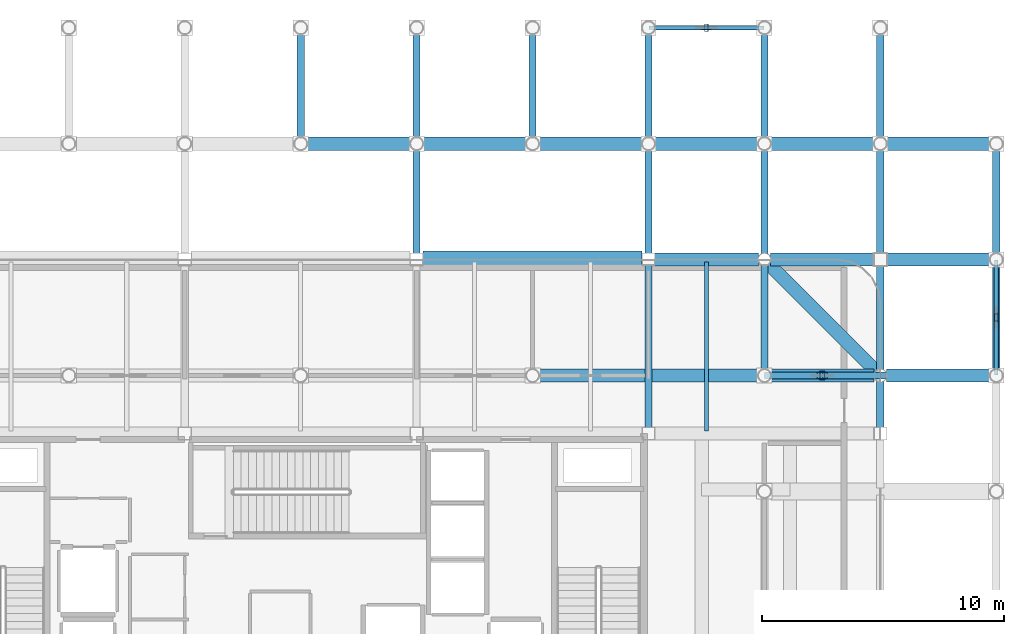
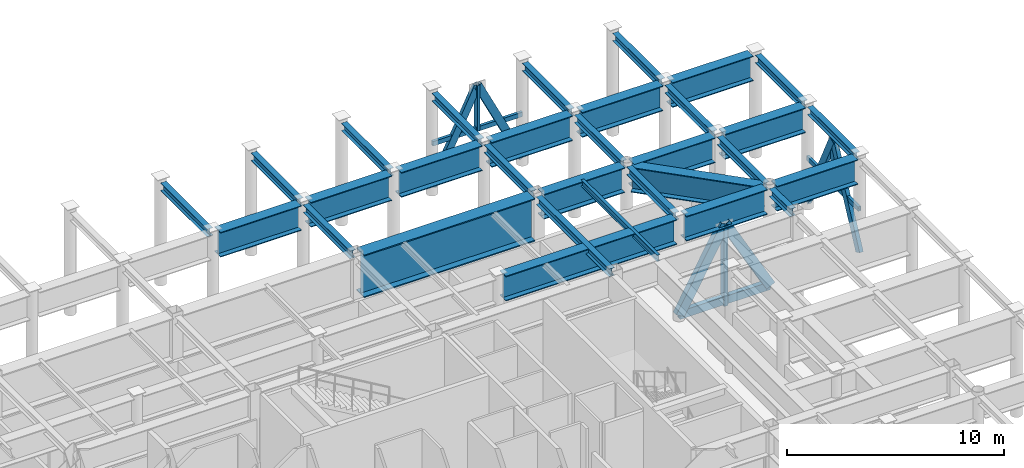
# One storey, part 10 of 20: 31 beams, 12 members.
"""IFC4 building model written with IfcOpenShell, lengths in metres."""

from ifc_helpers import new_model, si_unit, direction, frame, origin, origin_2d, place, context, subcontext, project, spatial, hollow_rectangle, i_section, extrude, material, material_profile, profile_set, type_object, element, save


model = new_model("IFC4")

# Units and contexts
model_context = context("Model", 3, precision=1e-05, world=origin(), true_north=direction((0.0, 1.0)))
body_context = subcontext(model_context, "Body", "Model", "MODEL_VIEW")
ifc_project = project(units=[si_unit("LENGTHUNIT", "METRE"), si_unit("AREAUNIT", "SQUARE_METRE"), si_unit("VOLUMEUNIT", "CUBIC_METRE"), si_unit("PLANEANGLEUNIT", "RADIAN"), si_unit("MASSUNIT", "GRAM", prefix="KILO")], contexts=[model_context])

# Site, building, storey
site_placement = place(None, origin())
site = spatial("IfcSite", under=ifc_project, at=site_placement, CompositionType="ELEMENT")
building_placement = place(site_placement, origin())
building = spatial("IfcBuilding", under=site, at=building_placement, Name="Kallvorn Hotel Tower", CompositionType="ELEMENT")
storey_placement = place(building_placement, frame((0.0, 0.0, 276.199951171875)))
storey = spatial("IfcBuildingStorey", under=building, at=storey_placement, Name="L69", CompositionType="ELEMENT", Elevation=276.199951171875)

# Beams
ifc_material_1 = material(Name="Structural steel S355JR", Category="steel")
ifc_material_profile_1 = material_profile(ifc_material_1, i_section(OverallWidth=0.300048828125, OverallDepth=0.43994140625, WebThickness=0.011474609375, FlangeThickness=0.02099609375, at=origin_2d()), Name="HE 450 A")
ifc_profile_set_1 = profile_set([ifc_material_profile_1], Name="Structural steel S355JR")
beam_type_1 = type_object("IfcBeamType", Name="BM_HE450A", PredefinedType="BEAM", material=ifc_profile_set_1)
beam_1_placement = place(storey_placement, frame((0.0, 19.45458984375, 5.580078125), z_axis=(0.0, 1.0, 0.0), x_axis=(-1.0, 0.0, 0.0)))
element("IfcBeam", 1, at=beam_1_placement, inside=storey, type_object=beam_type_1, Name="L70 Primary Y-Girder 129", PredefinedType="BEAM", context=body_context, shape_type="SweptSolid", body=[
    extrude(i_section(OverallWidth=0.300048828125, OverallDepth=0.43994140625, WebThickness=0.011474609375, FlangeThickness=0.02099609375, at=origin_2d()), origin(), (0.0, 0.0, 1.0), 4.291015625),
])
beam_2_placement = place(storey_placement, frame((4.800048828125, 14.64990234375, 5.580078125), z_axis=(0.0, 1.0, 0.0), x_axis=(-1.0, 0.0, 0.0)))
element("IfcBeam", 2, at=beam_2_placement, inside=storey, type_object=beam_type_1, Name="L70 Primary Y-Girder 133", PredefinedType="BEAM", context=body_context, shape_type="SweptSolid", body=[
    extrude(i_section(OverallWidth=0.300048828125, OverallDepth=0.43994140625, WebThickness=0.011474609375, FlangeThickness=0.02099609375, at=origin_2d()), origin(), (0.0, 0.0, 1.0), 4.295654296875),
])
for number, where, z_axis, x_axis, name in (
    (3, (4.800048828125, 19.45458984375, 5.580078125), (0.0, 1.0, 0.0), (-1.0, 0.0, 0.0), "L70 Primary Y-Girder 134"),
    (4, (9.60009765625, 19.45458984375, 5.580078125), (0.0, 1.0, 0.0), (-1.0, 0.0, 0.0), "L70 Primary Y-Girder 137"),
):
    element("IfcBeam", number, at=place(storey_placement, frame(where, z_axis=z_axis, x_axis=x_axis)), inside=storey, type_object=beam_type_1, Name=name, PredefinedType="BEAM", context=body_context, shape_type="SweptSolid", body=[
        extrude(i_section(OverallWidth=0.300048828125, OverallDepth=0.43994140625, WebThickness=0.011474609375, FlangeThickness=0.02099609375, at=origin_2d()), origin(), (0.0, 0.0, 1.0), 4.291015625),
    ])
beam_3_placement = place(storey_placement, frame((14.39990234375, 7.449951171875, 5.580078125), z_axis=(0.0, 1.0, 0.0), x_axis=(-1.0, 0.0, 0.0)))
element("IfcBeam", 5, at=beam_3_placement, inside=storey, type_object=beam_type_1, Name="L70 Primary Y-Girder 140", PredefinedType="BEAM", context=body_context, shape_type="SweptSolid", body=[
    extrude(i_section(OverallWidth=0.300048828125, OverallDepth=0.43994140625, WebThickness=0.011474609375, FlangeThickness=0.02099609375, at=origin_2d()), origin(), (0.0, 0.0, 1.0), 6.699951171875),
])
beam_4_placement = place(storey_placement, frame((14.39990234375, 14.64990234375, 5.580078125), z_axis=(0.0, 1.0, 0.0), x_axis=(-1.0, 0.0, 0.0)))
element("IfcBeam", 6, at=beam_4_placement, inside=storey, type_object=beam_type_1, Name="L70 Primary Y-Girder 141", PredefinedType="BEAM", context=body_context, shape_type="SweptSolid", body=[
    extrude(i_section(OverallWidth=0.300048828125, OverallDepth=0.43994140625, WebThickness=0.011474609375, FlangeThickness=0.02099609375, at=origin_2d()), origin(), (0.0, 0.0, 1.0), 4.295654296875),
])
for number, where, z_axis, x_axis, name in (
    (7, (14.39990234375, 19.45458984375, 5.580078125), (0.0, 1.0, 0.0), (-1.0, 0.0, 0.0), "L70 Primary Y-Girder 142"),
    (8, (19.199951171875, 9.8544921875, 5.580078125), (0.0, 1.0, 0.0), (-1.0, 0.0, 0.0), "L70 Primary Y-Girder 149"),
    (9, (19.199951171875, 14.654541015625, 5.580078125), (0.0, 1.0, 0.0), (-1.0, 0.0, 0.0), "L70 Primary Y-Girder 150"),
    (10, (19.199951171875, 19.45458984375, 5.580078125), (0.0, 1.0, 0.0), (-1.0, 0.0, 0.0), "L70 Primary Y-Girder 151"),
):
    element("IfcBeam", number, at=place(storey_placement, frame(where, z_axis=z_axis, x_axis=x_axis)), inside=storey, type_object=beam_type_1, Name=name, PredefinedType="BEAM", context=body_context, shape_type="SweptSolid", body=[
        extrude(i_section(OverallWidth=0.300048828125, OverallDepth=0.43994140625, WebThickness=0.011474609375, FlangeThickness=0.02099609375, at=origin_2d()), origin(), (0.0, 0.0, 1.0), 4.291015625),
    ])
beam_5_placement = place(storey_placement, frame((24.0, 7.449951171875, 5.580078125), z_axis=(0.0, 1.0, 0.0), x_axis=(-1.0, 0.0, 0.0)))
element("IfcBeam", 11, at=beam_5_placement, inside=storey, type_object=beam_type_1, Name="L70 Primary Y-Girder 155", PredefinedType="BEAM", context=body_context, shape_type="SweptSolid", body=[
    extrude(i_section(OverallWidth=0.300048828125, OverallDepth=0.43994140625, WebThickness=0.011474609375, FlangeThickness=0.02099609375, at=origin_2d()), origin(), (0.0, 0.0, 1.0), 1.8955078125),
])
beam_6_placement = place(storey_placement, frame((24.0, 9.8544921875, 5.580078125), z_axis=(0.0, 1.0, 0.0), x_axis=(-1.0, 0.0, 0.0)))
element("IfcBeam", 12, at=beam_6_placement, inside=storey, type_object=beam_type_1, Name="L70 Primary Y-Girder 156", PredefinedType="BEAM", context=body_context, shape_type="SweptSolid", body=[
    extrude(i_section(OverallWidth=0.300048828125, OverallDepth=0.43994140625, WebThickness=0.011474609375, FlangeThickness=0.02099609375, at=origin_2d()), origin(), (0.0, 0.0, 1.0), 4.29541015625),
])
beam_7_placement = place(storey_placement, frame((24.0, 14.64990234375, 5.580078125), z_axis=(0.0, 1.0, 0.0), x_axis=(-1.0, 0.0, 0.0)))
element("IfcBeam", 13, at=beam_7_placement, inside=storey, type_object=beam_type_1, Name="L70 Primary Y-Girder 157", PredefinedType="BEAM", context=body_context, shape_type="SweptSolid", body=[
    extrude(i_section(OverallWidth=0.300048828125, OverallDepth=0.43994140625, WebThickness=0.011474609375, FlangeThickness=0.02099609375, at=origin_2d()), origin(), (0.0, 0.0, 1.0), 4.295654296875),
])
for number, where, z_axis, x_axis, name in (
    (14, (24.0, 19.45458984375, 5.580078125), (0.0, 1.0, 0.0), (-1.0, 0.0, 0.0), "L70 Primary Y-Girder 158"),
    (15, (28.800048828125, 9.8544921875, 5.580078125), (0.0, 1.0, 0.0), (-1.0, 0.0, 0.0), "L70 Primary Y-Girder 165"),
    (16, (28.800048828125, 14.654541015625, 5.580078125), (0.0, 1.0, 0.0), (-1.0, 0.0, 0.0), "L70 Primary Y-Girder 166"),
):
    element("IfcBeam", number, at=place(storey_placement, frame(where, z_axis=z_axis, x_axis=x_axis)), inside=storey, type_object=beam_type_1, Name=name, PredefinedType="BEAM", context=body_context, shape_type="SweptSolid", body=[
        extrude(i_section(OverallWidth=0.300048828125, OverallDepth=0.43994140625, WebThickness=0.011474609375, FlangeThickness=0.02099609375, at=origin_2d()), origin(), (0.0, 0.0, 1.0), 4.291015625),
    ])
ifc_material_2 = material(Name="Structural steel S355JR", Category="steel")
ifc_material_profile_2 = material_profile(ifc_material_2, i_section(OverallWidth=0.169921875, OverallDepth=0.360107421875, WebThickness=0.008056640625, FlangeThickness=0.0126953125, at=origin_2d()), Name="IPE 360")
ifc_profile_set_2 = profile_set([ifc_material_profile_2], Name="Structural steel S355JR")
beam_type_2 = type_object("IfcBeamType", Name="BM_IPE360", PredefinedType="JOIST", material=ifc_profile_set_2)
beam_8_placement = place(storey_placement, frame((16.800048828125, 7.300048828125, 5.6201171875), z_axis=(0.0, 1.0, 0.0), x_axis=(-1.0, 0.0, 0.0)))
element("IfcBeam", 17, at=beam_8_placement, inside=storey, type_object=beam_type_2, Name="L70 Secondary Composite Joist 218", PredefinedType="JOIST", context=body_context, shape_type="SweptSolid", body=[
    extrude(i_section(OverallWidth=0.169921875, OverallDepth=0.360107421875, WebThickness=0.008056640625, FlangeThickness=0.0126953125, at=origin_2d()), origin(), (0.0, 0.0, 1.0), 7.0),
])
ifc_material_3 = material(Name="Structural steel S355JR", Category="steel")
ifc_material_profile_3 = material_profile(ifc_material_3, i_section(OverallWidth=0.550048828125, OverallDepth=1.39990234375, WebThickness=0.02490234375, FlangeThickness=0.044921875, at=origin_2d()), Name="PG 1400x550x25x45")
ifc_profile_set_3 = profile_set([ifc_material_profile_3], Name="Structural steel S355JR")
beam_type_3 = type_object("IfcBeamType", Name="BM_PG_1400", PredefinedType="BEAM", material=ifc_profile_set_3)
beam_9_placement = place(storey_placement, frame((9.8544921875, 9.60009765625, 5.10009765625), z_axis=(1.0, 0.0, 0.0), x_axis=(0.0, 1.0, 0.0)))
element("IfcBeam", 18, at=beam_9_placement, inside=storey, type_object=beam_type_3, Name="L70 Primary X-Girder 63", PredefinedType="BEAM", context=body_context, shape_type="SweptSolid", body=[
    extrude(i_section(OverallWidth=0.550048828125, OverallDepth=1.39990234375, WebThickness=0.02490234375, FlangeThickness=0.044921875, at=origin_2d()), origin(), (0.0, 0.0, 1.0), 9.091064453125),
])
for number, where, z_axis, x_axis, name in (
    (19, (19.45458984375, 9.60009765625, 5.10009765625), (1.0, 0.0, 0.0), (0.0, 1.0, 0.0), "L70 Primary X-Girder 64"),
    (20, (24.25439453125, 9.60009765625, 5.10009765625), (1.0, 0.0, 0.0), (0.0, 1.0, 0.0), "L70 Primary X-Girder 65"),
):
    element("IfcBeam", number, at=place(storey_placement, frame(where, z_axis=z_axis, x_axis=x_axis)), inside=storey, type_object=beam_type_3, Name=name, PredefinedType="BEAM", context=body_context, shape_type="SweptSolid", body=[
        extrude(i_section(OverallWidth=0.550048828125, OverallDepth=1.39990234375, WebThickness=0.02490234375, FlangeThickness=0.044921875, at=origin_2d()), origin(), (0.0, 0.0, 1.0), 4.291015625),
    ])
beam_10_placement = place(storey_placement, frame((14.64990234375, 14.39990234375, 5.10009765625), z_axis=(1.0, 0.0, 0.0), x_axis=(0.0, 1.0, 0.0)))
element("IfcBeam", 21, at=beam_10_placement, inside=storey, type_object=beam_type_3, Name="L70 Primary X-Girder 73", PredefinedType="BEAM", context=body_context, shape_type="SweptSolid", body=[
    extrude(i_section(OverallWidth=0.550048828125, OverallDepth=1.39990234375, WebThickness=0.02490234375, FlangeThickness=0.044921875, at=origin_2d()), origin(), (0.0, 0.0, 1.0), 4.295654296875),
])
for number, where, z_axis, x_axis, name in (
    (22, (19.45458984375, 14.39990234375, 5.10009765625), (1.0, 0.0, 0.0), (0.0, 1.0, 0.0), "L70 Primary X-Girder 74"),
    (23, (24.25, 14.39990234375, 5.10009765625), (1.0, 0.0, 0.0), (0.0, 1.0, 0.0), "L70 Primary X-Girder 75"),
):
    element("IfcBeam", number, at=place(storey_placement, frame(where, z_axis=z_axis, x_axis=x_axis)), inside=storey, type_object=beam_type_3, Name=name, PredefinedType="BEAM", context=body_context, shape_type="SweptSolid", body=[
        extrude(i_section(OverallWidth=0.550048828125, OverallDepth=1.39990234375, WebThickness=0.02490234375, FlangeThickness=0.044921875, at=origin_2d()), origin(), (0.0, 0.0, 1.0), 4.29541015625),
    ])
for number, where, z_axis, x_axis, name in (
    (24, (0.25439453125, 19.199951171875, 5.10009765625), (1.0, 0.0, 0.0), (0.0, 1.0, 0.0), "L70 Primary X-Girder 83"),
    (25, (5.054443359375, 19.199951171875, 5.10009765625), (1.0, 0.0, 0.0), (0.0, 1.0, 0.0), "L70 Primary X-Girder 84"),
    (26, (9.8544921875, 19.199951171875, 5.10009765625), (1.0, 0.0, 0.0), (0.0, 1.0, 0.0), "L70 Primary X-Girder 85"),
    (27, (14.654541015625, 19.199951171875, 5.10009765625), (1.0, 0.0, 0.0), (0.0, 1.0, 0.0), "L70 Primary X-Girder 86"),
    (28, (19.45458984375, 19.199951171875, 5.10009765625), (1.0, 0.0, 0.0), (0.0, 1.0, 0.0), "L70 Primary X-Girder 87"),
    (29, (24.25439453125, 19.199951171875, 5.10009765625), (1.0, 0.0, 0.0), (0.0, 1.0, 0.0), "L70 Primary X-Girder 88"),
):
    element("IfcBeam", number, at=place(storey_placement, frame(where, z_axis=z_axis, x_axis=x_axis)), inside=storey, type_object=beam_type_3, Name=name, PredefinedType="BEAM", context=body_context, shape_type="SweptSolid", body=[
        extrude(i_section(OverallWidth=0.550048828125, OverallDepth=1.39990234375, WebThickness=0.02490234375, FlangeThickness=0.044921875, at=origin_2d()), origin(), (0.0, 0.0, 1.0), 4.291015625),
    ])
beam_11_placement = place(storey_placement, frame((23.809326171875, 9.79052734375, 5.10009765625), z_axis=(-0.707087247041, 0.707126314793, 0.0), x_axis=(-0.707126314793, -0.707087247041, 0.0)))
element("IfcBeam", 30, at=beam_11_placement, inside=storey, type_object=beam_type_3, Name="L70 Rounded Corner Tie Beam 202", PredefinedType="BEAM", context=body_context, shape_type="SweptSolid", body=[
    extrude(i_section(OverallWidth=0.550048828125, OverallDepth=1.39990234375, WebThickness=0.02490234375, FlangeThickness=0.044921875, at=origin_2d()), origin(), (0.0, 0.0, 1.0), 6.249267578125),
])
ifc_material_4 = material(Name="Structural steel S355JR", Category="steel")
ifc_material_profile_4 = material_profile(ifc_material_4, i_section(OverallWidth=0.699951171875, OverallDepth=2.39990234375, WebThickness=0.031982421875, FlangeThickness=0.06005859375, at=origin_2d()), Name="PG 2400x700x32x60")
ifc_profile_set_4 = profile_set([ifc_material_profile_4], Name="Structural steel S355JR")
beam_type_4 = type_object("IfcBeamType", Name="BM_PG_2400", PredefinedType="BEAM", material=ifc_profile_set_4)
beam_12_placement = place(storey_placement, frame((5.06494140625, 14.39990234375, 4.60009765625), z_axis=(1.0, 0.0, 0.0), x_axis=(0.0, 1.0, 0.0)))
element("IfcBeam", 31, at=beam_12_placement, inside=storey, type_object=beam_type_4, Name="L70 Setback Transfer Girder 11", PredefinedType="BEAM", context=body_context, shape_type="SweptSolid", body=[
    extrude(i_section(OverallWidth=0.699951171875, OverallDepth=2.39990234375, WebThickness=0.031982421875, FlangeThickness=0.06005859375, at=origin_2d()), origin(), (0.0, 0.0, 1.0), 9.070068359375),
])

# Members
ifc_material_5 = material(Name="Structural steel S355J2H", Category="steel")
ifc_material_profile_5 = material_profile(ifc_material_5, hollow_rectangle(XDim=0.199951171875, YDim=0.39990234375, WallThickness=0.02001953125, at=origin_2d()), Name="RHS 400x200x20")
ifc_profile_set_5 = profile_set([ifc_material_profile_5], Name="Structural steel S355J2H")
member_type_1 = type_object("IfcMemberType", Name="MBR_BELT_RHS400", PredefinedType="BRACE", material=ifc_profile_set_5)
for number, where, z_axis, x_axis, name in (
    (32, (14.40869140625, 24.0, 0.3681640625), (0.440627546055, 0.0, 0.897690016463), (0.0, 1.0, 0.0), "L69 Belt Truss Diagonal 4A"),
    (33, (19.191162109375, 24.0, 0.3681640625), (-0.440591160242, 0.0, 0.897707875378), (0.0, -1.0, 0.0), "L69 Belt Truss Diagonal 4B"),
    (34, (28.800048828125, 9.60888671875, 0.3681640625), (0.0, 0.440591160242, 0.897707875378), (-1.0, 0.0, 0.0), "L69 Belt Truss Diagonal 8A"),
    (35, (28.800048828125, 14.39111328125, 0.3681640625), (0.0, -0.440591160242, 0.897707875378), (1.0, 0.0, 0.0), "L69 Belt Truss Diagonal 8B"),
):
    element("IfcMember", number, at=place(storey_placement, frame(where, z_axis=z_axis, x_axis=x_axis)), inside=storey, type_object=member_type_1, Name=name, PredefinedType="BRACE", context=body_context, shape_type="SweptSolid", body=[
        extrude(hollow_rectangle(XDim=0.199951171875, YDim=0.39990234375, WallThickness=0.02001953125, at=origin_2d()), origin(), (0.0, 0.0, 1.0), 5.4072265625),
    ])
ifc_material_6 = material(Name="Structural steel S355J2H", Category="steel")
ifc_material_profile_6 = material_profile(ifc_material_6, hollow_rectangle(XDim=0.25, YDim=0.449951171875, WallThickness=0.02197265625, at=origin_2d()), Name="RHS 450x250x22")
ifc_profile_set_6 = profile_set([ifc_material_profile_6], Name="Structural steel S355J2H")
member_type_2 = type_object("IfcMemberType", Name="MBR_CHORD_RHS450", PredefinedType="CHORD", material=ifc_profile_set_6)
member_1_placement = place(storey_placement, frame((19.199951171875, 9.60009765625, 0.239990234375), z_axis=(1.0, 0.0, 0.0), x_axis=(0.0, 1.0, 0.0)))
element("IfcMember", 36, at=member_1_placement, inside=storey, type_object=member_type_2, Name="L69 Outrigger Truss Bottom Chord OTE2", PredefinedType="CHORD", context=body_context, shape_type="SweptSolid", body=[
    extrude(hollow_rectangle(XDim=0.25, YDim=0.449951171875, WallThickness=0.02197265625, at=origin_2d()), origin(), (0.0, 0.0, 1.0), 4.800048828125),
])
ifc_material_7 = material(Name="Structural steel S355J2H", Category="steel")
ifc_material_profile_7 = material_profile(ifc_material_7, hollow_rectangle(XDim=0.14990234375, YDim=0.25, WallThickness=0.010009765625, at=origin_2d()), Name="RHS 250x150x10")
ifc_profile_set_7 = profile_set([ifc_material_profile_7], Name="Structural steel S355J2H")
member_type_3 = type_object("IfcMemberType", Name="MBR_COLLAR_RHS250", PredefinedType="COLLAR", material=ifc_profile_set_7)
member_2_placement = place(storey_placement, frame((14.419921875, 24.0, 2.775146484375), z_axis=(1.0, 0.0, 0.0), x_axis=(0.0, 1.0, 0.0)))
element("IfcMember", 37, at=member_2_placement, inside=storey, type_object=member_type_3, Name="L69 Belt Truss Tie Collar 4", PredefinedType="COLLAR", context=body_context, shape_type="SweptSolid", body=[
    extrude(hollow_rectangle(XDim=0.14990234375, YDim=0.25, WallThickness=0.010009765625, at=origin_2d()), origin(), (0.0, 0.0, 1.0), 4.760009765625),
])
member_3_placement = place(storey_placement, frame((28.800048828125, 9.6201171875, 2.775146484375), z_axis=(0.0, 1.0, 0.0), x_axis=(-1.0, 0.0, 0.0)))
element("IfcMember", 38, at=member_3_placement, inside=storey, type_object=member_type_3, Name="L69 Belt Truss Tie Collar 8", PredefinedType="COLLAR", context=body_context, shape_type="SweptSolid", body=[
    extrude(hollow_rectangle(XDim=0.14990234375, YDim=0.25, WallThickness=0.010009765625, at=origin_2d()), origin(), (0.0, 0.0, 1.0), 4.759765625),
])
ifc_material_8 = material(Name="Structural steel S355J2H", Category="steel")
ifc_material_profile_8 = material_profile(ifc_material_8, hollow_rectangle(XDim=0.300048828125, YDim=0.5, WallThickness=0.02490234375, at=origin_2d()), Name="RHS 500x300x25")
ifc_profile_set_8 = profile_set([ifc_material_profile_8], Name="Structural steel S355J2H")
member_type_4 = type_object("IfcMemberType", Name="MBR_OUTRIGGER_RHS500", PredefinedType="BRACE", material=ifc_profile_set_8)
member_4_placement = place(storey_placement, frame((19.199951171875, 9.60009765625, 0.239990234375), z_axis=(0.487384619939, 0.0, 0.873187398127), x_axis=(0.0, 1.0, 0.0)))
element("IfcMember", 39, at=member_4_placement, inside=storey, type_object=member_type_4, Name="L69 Outrigger Truss Diagonal OTE2A", PredefinedType="BRACE", context=body_context, shape_type="SweptSolid", body=[
    extrude(hollow_rectangle(XDim=0.300048828125, YDim=0.5, WallThickness=0.02490234375, at=origin_2d()), origin(), (0.0, 0.0, 1.0), 4.924560546875),
])
member_5_placement = place(storey_placement, frame((24.0, 9.60009765625, 0.239990234375), z_axis=(-0.487346818809, 0.0, 0.873208496407), x_axis=(0.0, -1.0, 0.0)))
element("IfcMember", 40, at=member_5_placement, inside=storey, type_object=member_type_4, Name="L69 Outrigger Truss Diagonal OTE2B", PredefinedType="BRACE", context=body_context, shape_type="SweptSolid", body=[
    extrude(hollow_rectangle(XDim=0.300048828125, YDim=0.5, WallThickness=0.02490234375, at=origin_2d()), origin(), (0.0, 0.0, 1.0), 4.92431640625),
])
ifc_material_9 = material(Name="Structural steel S355J2H", Category="steel")
ifc_material_profile_9 = material_profile(ifc_material_9, hollow_rectangle(XDim=0.199951171875, YDim=0.35009765625, WallThickness=0.01611328125, at=origin_2d()), Name="RHS 350x200x16")
ifc_profile_set_9 = profile_set([ifc_material_profile_9], Name="Structural steel S355J2H")
member_type_5 = type_object("IfcMemberType", Name="MBR_POST_RHS350", PredefinedType="POST", material=ifc_profile_set_9)
member_6_placement = place(storey_placement, frame((21.60009765625, 9.60009765625, -0.0400390625), z_axis=(0.0, 0.0, 1.0), x_axis=(1.0, 0.0, 0.0)))
element("IfcMember", 41, at=member_6_placement, inside=storey, type_object=member_type_5, Name="L69 Outrigger Truss Post OTE2", PredefinedType="POST", context=body_context, shape_type="SweptSolid", body=[
    extrude(hollow_rectangle(XDim=0.199951171875, YDim=0.35009765625, WallThickness=0.01611328125, at=origin_2d()), origin(), (0.0, 0.0, 1.0), 4.52001953125),
])
ifc_material_10 = material(Name="Structural steel S355J2H", Category="steel")
ifc_material_profile_10 = material_profile(ifc_material_10, hollow_rectangle(XDim=0.14990234375, YDim=0.300048828125, WallThickness=0.012451171875, at=origin_2d()), Name="RHS 300x150x12.5")
ifc_profile_set_10 = profile_set([ifc_material_profile_10], Name="Structural steel S355J2H")
member_type_6 = type_object("IfcMemberType", Name="MBR_STRUT_RHS300", PredefinedType="STRUT", material=ifc_profile_set_10)
for number, where, z_axis, x_axis, name in (
    (42, (16.800048828125, 24.0, 2.72509765625), (0.0, 0.0, 1.0), (1.0, 0.0, 0.0), "L69 Belt Truss Strut 4"),
    (43, (28.800048828125, 12.0, 2.72509765625), (0.0, 0.0, 1.0), (1.0, 0.0, 0.0), "L69 Belt Truss Strut 8"),
):
    element("IfcMember", number, at=place(storey_placement, frame(where, z_axis=z_axis, x_axis=x_axis)), inside=storey, type_object=member_type_6, Name=name, PredefinedType="STRUT", context=body_context, shape_type="SweptSolid", body=[
        extrude(hollow_rectangle(XDim=0.14990234375, YDim=0.300048828125, WallThickness=0.012451171875, at=origin_2d()), origin(), (0.0, 0.0, 1.0), 2.554931640625),
    ])

save(model, "model.ifc")
